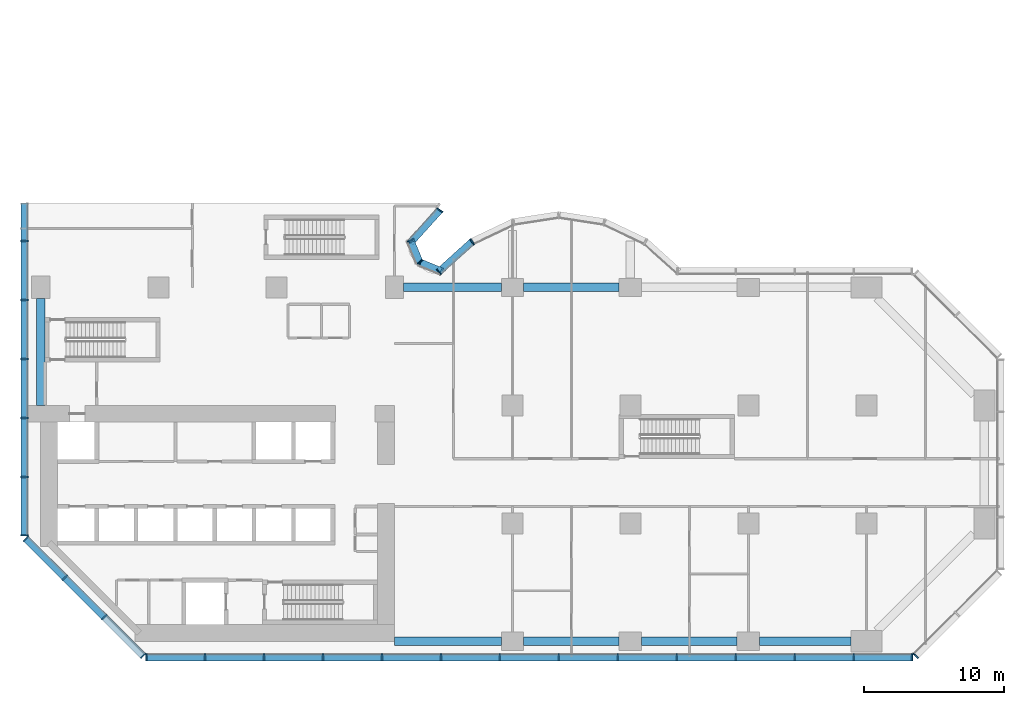
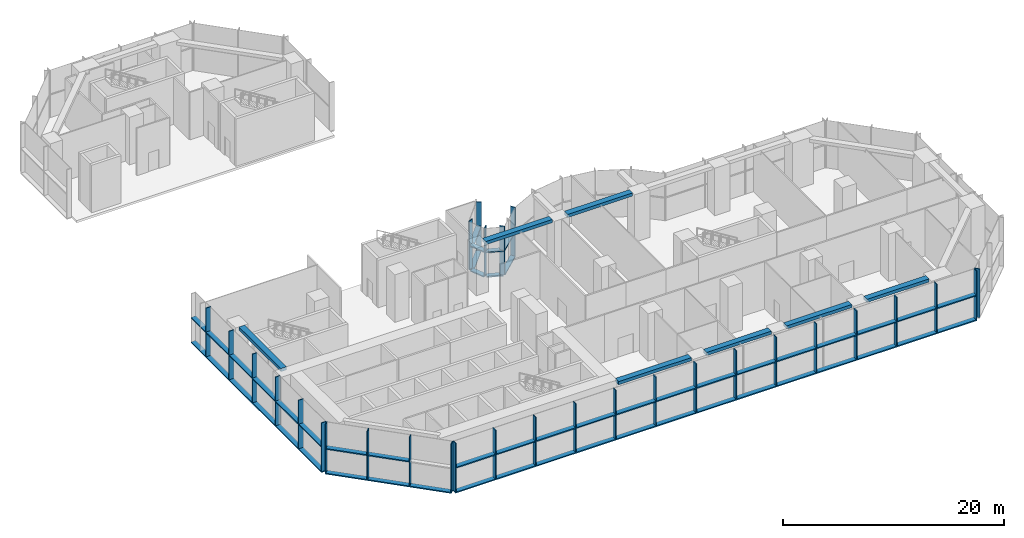
# One storey, part 2 of 16: 62 members, 7 beams, 7 elements without a shape of their own.
"""IFC4 building model written with IfcOpenShell, lengths in metres."""

from ifc_helpers import new_model, si_unit, direction, frame, origin, origin_2d, place, context, subcontext, project, spatial, rectangle, extrude, material, material_profile, profile_set, type_object, element, aggregate, save


model = new_model("IFC4")

# Units and contexts
model_context = context("Model", 3, precision=1e-05, world=origin(), true_north=direction((0.0, 1.0)))
body_context = subcontext(model_context, "Body", "Model", "MODEL_VIEW")
ifc_project = project(units=[si_unit("LENGTHUNIT", "METRE"), si_unit("AREAUNIT", "SQUARE_METRE"), si_unit("VOLUMEUNIT", "CUBIC_METRE"), si_unit("PLANEANGLEUNIT", "RADIAN"), si_unit("MASSUNIT", "GRAM", prefix="KILO")], contexts=[model_context])

# Site, building, storey
site_placement = place(None, origin())
site = spatial("IfcSite", under=ifc_project, at=site_placement, CompositionType="ELEMENT")
building_placement = place(site_placement, origin())
building = spatial("IfcBuilding", under=site, at=building_placement, Name="Brevane Broadcast Tower", CompositionType="ELEMENT")
storey_placement = place(building_placement, frame((0.0, 0.0, 7.0)))
storey = spatial("IfcBuildingStorey", under=building, at=storey_placement, Name="L01", CompositionType="ELEMENT", Elevation=7.0)

# Curtain wall, members
ifc_material_1 = material(Name="Aluminium 6063-T6 bronze anodised", Category="aluminium")
curtain_wall_type = type_object("IfcCurtainWallType", Name="CW-2 curtain wall", PredefinedType="NOTDEFINED", material=ifc_material_1)
curtain_wall_1_placement = place(storey_placement, origin())
curtain_wall_1 = element("IfcCurtainWall", 1, at=curtain_wall_1_placement, inside=storey, type_object=curtain_wall_type, Name="CW-2 podium base unit L01 south face", PredefinedType="NOTDEFINED")
ifc_material_profile_1 = material_profile(ifc_material_1, rectangle(XDim=0.5, YDim=0.090087890625, at=origin_2d()), Name="RECT 90x500")
ifc_profile_set_1 = profile_set([ifc_material_profile_1], Name="Aluminium 6063-T6 bronze anodised")
member_type_1 = type_object("IfcMemberType", Name="CW-2 mullion 90x500", PredefinedType="MULLION", material=ifc_profile_set_1)
member_1_placement = place(storey_placement, frame((7.544921875, -1.14990234375, -0.1298828125), z_axis=(0.0, 0.0, 1.0), x_axis=(0.0, 1.0, 0.0)))
member_1 = element("IfcMember", 2, at=member_1_placement, type_object=member_type_1, Name="CW-2 mullion", PredefinedType="MULLION", context=body_context, shape_type="SweptSolid", body=[
    extrude(rectangle(XDim=0.5, YDim=0.090087890625, at=origin_2d()), origin(), (0.0, 0.0, 1.0), 5.3798828125),
])
member_2_placement = place(storey_placement, frame((11.699951171875, -1.14990234375, -0.1298828125), z_axis=(0.0, 0.0, 1.0), x_axis=(0.0, 1.0, 0.0)))
member_2 = element("IfcMember", 3, at=member_2_placement, type_object=member_type_1, Name="CW-2 mullion", PredefinedType="MULLION", context=body_context, shape_type="SweptSolid", body=[
    extrude(rectangle(XDim=0.5, YDim=0.090087890625, at=origin_2d()), origin(), (0.0, 0.0, 1.0), 5.3798828125),
])
member_3_placement = place(storey_placement, frame((15.89990234375, -1.14990234375, -0.1298828125), z_axis=(0.0, 0.0, 1.0), x_axis=(0.0, 1.0, 0.0)))
member_3 = element("IfcMember", 4, at=member_3_placement, type_object=member_type_1, Name="CW-2 mullion", PredefinedType="MULLION", context=body_context, shape_type="SweptSolid", body=[
    extrude(rectangle(XDim=0.5, YDim=0.090087890625, at=origin_2d()), origin(), (0.0, 0.0, 1.0), 5.3798828125),
])
member_4_placement = place(storey_placement, frame((20.10009765625, -1.14990234375, -0.1298828125), z_axis=(0.0, 0.0, 1.0), x_axis=(0.0, 1.0, 0.0)))
member_4 = element("IfcMember", 5, at=member_4_placement, type_object=member_type_1, Name="CW-2 mullion", PredefinedType="MULLION", context=body_context, shape_type="SweptSolid", body=[
    extrude(rectangle(XDim=0.5, YDim=0.090087890625, at=origin_2d()), origin(), (0.0, 0.0, 1.0), 5.3798828125),
])
member_5_placement = place(storey_placement, frame((24.300048828125, -1.14990234375, -0.1298828125), z_axis=(0.0, 0.0, 1.0), x_axis=(0.0, 1.0, 0.0)))
member_5 = element("IfcMember", 6, at=member_5_placement, type_object=member_type_1, Name="CW-2 mullion", PredefinedType="MULLION", context=body_context, shape_type="SweptSolid", body=[
    extrude(rectangle(XDim=0.5, YDim=0.090087890625, at=origin_2d()), origin(), (0.0, 0.0, 1.0), 5.3798828125),
])
member_6_placement = place(storey_placement, frame((28.5, -1.14990234375, -0.1298828125), z_axis=(0.0, 0.0, 1.0), x_axis=(0.0, 1.0, 0.0)))
member_6 = element("IfcMember", 7, at=member_6_placement, type_object=member_type_1, Name="CW-2 mullion", PredefinedType="MULLION", context=body_context, shape_type="SweptSolid", body=[
    extrude(rectangle(XDim=0.5, YDim=0.090087890625, at=origin_2d()), origin(), (0.0, 0.0, 1.0), 5.3798828125),
])
member_7_placement = place(storey_placement, frame((32.699951171875, -1.14990234375, -0.1298828125), z_axis=(0.0, 0.0, 1.0), x_axis=(0.0, 1.0, 0.0)))
member_7 = element("IfcMember", 8, at=member_7_placement, type_object=member_type_1, Name="CW-2 mullion", PredefinedType="MULLION", context=body_context, shape_type="SweptSolid", body=[
    extrude(rectangle(XDim=0.5, YDim=0.090087890625, at=origin_2d()), origin(), (0.0, 0.0, 1.0), 5.3798828125),
])
member_8_placement = place(storey_placement, frame((36.89990234375, -1.14990234375, -0.1298828125), z_axis=(0.0, 0.0, 1.0), x_axis=(0.0, 1.0, 0.0)))
member_8 = element("IfcMember", 9, at=member_8_placement, type_object=member_type_1, Name="CW-2 mullion", PredefinedType="MULLION", context=body_context, shape_type="SweptSolid", body=[
    extrude(rectangle(XDim=0.5, YDim=0.090087890625, at=origin_2d()), origin(), (0.0, 0.0, 1.0), 5.3798828125),
])
member_9_placement = place(storey_placement, frame((41.10009765625, -1.14990234375, -0.1298828125), z_axis=(0.0, 0.0, 1.0), x_axis=(0.0, 1.0, 0.0)))
member_9 = element("IfcMember", 10, at=member_9_placement, type_object=member_type_1, Name="CW-2 mullion", PredefinedType="MULLION", context=body_context, shape_type="SweptSolid", body=[
    extrude(rectangle(XDim=0.5, YDim=0.090087890625, at=origin_2d()), origin(), (0.0, 0.0, 1.0), 5.3798828125),
])
member_10_placement = place(storey_placement, frame((45.300048828125, -1.14990234375, -0.1298828125), z_axis=(0.0, 0.0, 1.0), x_axis=(0.0, 1.0, 0.0)))
member_10 = element("IfcMember", 11, at=member_10_placement, type_object=member_type_1, Name="CW-2 mullion", PredefinedType="MULLION", context=body_context, shape_type="SweptSolid", body=[
    extrude(rectangle(XDim=0.5, YDim=0.090087890625, at=origin_2d()), origin(), (0.0, 0.0, 1.0), 5.3798828125),
])
member_11_placement = place(storey_placement, frame((49.5, -1.14990234375, -0.1298828125), z_axis=(0.0, 0.0, 1.0), x_axis=(0.0, 1.0, 0.0)))
member_11 = element("IfcMember", 12, at=member_11_placement, type_object=member_type_1, Name="CW-2 mullion", PredefinedType="MULLION", context=body_context, shape_type="SweptSolid", body=[
    extrude(rectangle(XDim=0.5, YDim=0.090087890625, at=origin_2d()), origin(), (0.0, 0.0, 1.0), 5.3798828125),
])
member_12_placement = place(storey_placement, frame((53.699951171875, -1.14990234375, -0.1298828125), z_axis=(0.0, 0.0, 1.0), x_axis=(0.0, 1.0, 0.0)))
member_12 = element("IfcMember", 13, at=member_12_placement, type_object=member_type_1, Name="CW-2 mullion", PredefinedType="MULLION", context=body_context, shape_type="SweptSolid", body=[
    extrude(rectangle(XDim=0.5, YDim=0.090087890625, at=origin_2d()), origin(), (0.0, 0.0, 1.0), 5.3798828125),
])
member_13_placement = place(storey_placement, frame((57.89990234375, -1.14990234375, -0.1298828125), z_axis=(0.0, 0.0, 1.0), x_axis=(0.0, 1.0, 0.0)))
member_13 = element("IfcMember", 14, at=member_13_placement, type_object=member_type_1, Name="CW-2 mullion", PredefinedType="MULLION", context=body_context, shape_type="SweptSolid", body=[
    extrude(rectangle(XDim=0.5, YDim=0.090087890625, at=origin_2d()), origin(), (0.0, 0.0, 1.0), 5.3798828125),
])
member_14_placement = place(storey_placement, frame((62.054931640625, -1.14990234375, -0.1298828125), z_axis=(0.0, 0.0, 1.0), x_axis=(0.0, 1.0, 0.0)))
member_14 = element("IfcMember", 15, at=member_14_placement, type_object=member_type_1, Name="CW-2 mullion", PredefinedType="MULLION", context=body_context, shape_type="SweptSolid", body=[
    extrude(rectangle(XDim=0.5, YDim=0.090087890625, at=origin_2d()), origin(), (0.0, 0.0, 1.0), 5.3798828125),
])

# Curtain wall, member
curtain_wall_2_placement = place(storey_placement, origin())
curtain_wall_2 = element("IfcCurtainWall", 16, at=curtain_wall_2_placement, inside=storey, type_object=curtain_wall_type, Name="CW-2 podium base unit L01 south-east chamfer", PredefinedType="NOTDEFINED")
member_15_placement = place(storey_placement, frame((62.30859375, -1.044921875, -0.1298828125), z_axis=(0.0, 0.0, 1.0), x_axis=(-0.707106781187, 0.707106781187, 0.0)))
member_15 = element("IfcMember", 17, at=member_15_placement, type_object=member_type_1, Name="CW-2 mullion", PredefinedType="MULLION", context=body_context, shape_type="SweptSolid", body=[
    extrude(rectangle(XDim=0.5, YDim=0.090087890625, at=origin_2d()), origin(), (0.0, 0.0, 1.0), 5.3798828125),
])
aggregate(curtain_wall_2, [member_15])

# Curtain wall, members
curtain_wall_3_placement = place(storey_placement, origin())
curtain_wall_3 = element("IfcCurtainWall", 18, at=curtain_wall_3_placement, inside=storey, type_object=curtain_wall_type, Name="CW-2 podium base unit L01 east bow", PredefinedType="NOTDEFINED")
member_16_placement = place(storey_placement, frame((30.728759765625, 28.447021484375, -0.1298828125), z_axis=(0.0, 0.0, 1.0), x_axis=(0.555997481379, -0.831183975243, 0.0)))
member_16 = element("IfcMember", 19, at=member_16_placement, type_object=member_type_1, Name="CW-2 mullion", PredefinedType="MULLION", context=body_context, shape_type="SweptSolid", body=[
    extrude(rectangle(XDim=0.5, YDim=0.090087890625, at=origin_2d()), origin(), (0.0, 0.0, 1.0), 5.3798828125),
])
member_17_placement = place(storey_placement, frame((28.36572265625, 26.315673828125, -0.1298828125), z_axis=(0.0, 0.0, 1.0), x_axis=(0.670368934758, -0.742027958578, 0.0)))
member_17 = element("IfcMember", 20, at=member_17_placement, type_object=member_type_1, Name="CW-2 mullion", PredefinedType="MULLION", context=body_context, shape_type="SweptSolid", body=[
    extrude(rectangle(XDim=0.5, YDim=0.090087890625, at=origin_2d()), origin(), (0.0, 0.0, 1.0), 5.3798828125),
])

curtain_wall_4_placement = place(storey_placement, origin())
curtain_wall_4 = element("IfcCurtainWall", 21, at=curtain_wall_4_placement, inside=storey, type_object=curtain_wall_type, Name="CW-2 podium base unit L01 inner corner", PredefinedType="NOTDEFINED")
member_18_placement = place(storey_placement, frame((26.979736328125, 26.979736328125, -0.1298828125), z_axis=(0.0, 0.0, 1.0), x_axis=(-0.707106781187, -0.707106781187, 0.0)))
member_18 = element("IfcMember", 22, at=member_18_placement, type_object=member_type_1, Name="CW-2 mullion", PredefinedType="MULLION", context=body_context, shape_type="SweptSolid", body=[
    extrude(rectangle(XDim=0.5, YDim=0.090087890625, at=origin_2d()), origin(), (0.0, 0.0, 1.0), 5.3798828125),
])
member_19_placement = place(storey_placement, frame((26.34814453125, 28.55419921875, -0.1298828125), z_axis=(0.0, 0.0, 1.0), x_axis=(-0.923879457699, -0.382683612978, 0.0)))
member_19 = element("IfcMember", 23, at=member_19_placement, type_object=member_type_1, Name="CW-2 mullion", PredefinedType="MULLION", context=body_context, shape_type="SweptSolid", body=[
    extrude(rectangle(XDim=0.5, YDim=0.090087890625, at=origin_2d()), origin(), (0.0, 0.0, 1.0), 5.3798828125),
])

# Curtain wall, member
curtain_wall_5_placement = place(storey_placement, origin())
curtain_wall_5 = element("IfcCurtainWall", 24, at=curtain_wall_5_placement, inside=storey, type_object=curtain_wall_type, Name="CW-2 podium base unit L01 north bow", PredefinedType="NOTDEFINED")
member_20_placement = place(storey_placement, frame((28.421875, 30.69140625, -0.1298828125), z_axis=(0.0, 0.0, 1.0), x_axis=(-0.831183975243, 0.555997481379, 0.0)))
member_20 = element("IfcMember", 25, at=member_20_placement, type_object=member_type_1, Name="CW-2 mullion", PredefinedType="MULLION", context=body_context, shape_type="SweptSolid", body=[
    extrude(rectangle(XDim=0.5, YDim=0.090087890625, at=origin_2d()), origin(), (0.0, 0.0, 1.0), 5.3798828125),
])

# Curtain wall, members
curtain_wall_6_placement = place(storey_placement, origin())
curtain_wall_6 = element("IfcCurtainWall", 26, at=curtain_wall_6_placement, inside=storey, type_object=curtain_wall_type, Name="CW-2 podium base unit L01 west face", PredefinedType="NOTDEFINED")
member_21_placement = place(storey_placement, frame((-1.14990234375, 28.5, -0.1298828125), z_axis=(0.0, 0.0, 1.0), x_axis=(1.0, 0.0, 0.0)))
member_21 = element("IfcMember", 27, at=member_21_placement, type_object=member_type_1, Name="CW-2 mullion", PredefinedType="MULLION", context=body_context, shape_type="SweptSolid", body=[
    extrude(rectangle(XDim=0.5, YDim=0.090087890625, at=origin_2d()), origin(), (0.0, 0.0, 1.0), 5.3798828125),
])
member_22_placement = place(storey_placement, frame((-1.14990234375, 24.300048828125, -0.1298828125), z_axis=(0.0, 0.0, 1.0), x_axis=(1.0, 0.0, 0.0)))
member_22 = element("IfcMember", 28, at=member_22_placement, type_object=member_type_1, Name="CW-2 mullion", PredefinedType="MULLION", context=body_context, shape_type="SweptSolid", body=[
    extrude(rectangle(XDim=0.5, YDim=0.090087890625, at=origin_2d()), origin(), (0.0, 0.0, 1.0), 5.3798828125),
])
member_23_placement = place(storey_placement, frame((-1.14990234375, 20.10009765625, -0.1298828125), z_axis=(0.0, 0.0, 1.0), x_axis=(1.0, 0.0, 0.0)))
member_23 = element("IfcMember", 29, at=member_23_placement, type_object=member_type_1, Name="CW-2 mullion", PredefinedType="MULLION", context=body_context, shape_type="SweptSolid", body=[
    extrude(rectangle(XDim=0.5, YDim=0.090087890625, at=origin_2d()), origin(), (0.0, 0.0, 1.0), 5.3798828125),
])
member_24_placement = place(storey_placement, frame((-1.14990234375, 15.89990234375, -0.1298828125), z_axis=(0.0, 0.0, 1.0), x_axis=(1.0, 0.0, 0.0)))
member_24 = element("IfcMember", 30, at=member_24_placement, type_object=member_type_1, Name="CW-2 mullion", PredefinedType="MULLION", context=body_context, shape_type="SweptSolid", body=[
    extrude(rectangle(XDim=0.5, YDim=0.090087890625, at=origin_2d()), origin(), (0.0, 0.0, 1.0), 5.3798828125),
])
member_25_placement = place(storey_placement, frame((-1.14990234375, 11.699951171875, -0.1298828125), z_axis=(0.0, 0.0, 1.0), x_axis=(1.0, 0.0, 0.0)))
member_25 = element("IfcMember", 31, at=member_25_placement, type_object=member_type_1, Name="CW-2 mullion", PredefinedType="MULLION", context=body_context, shape_type="SweptSolid", body=[
    extrude(rectangle(XDim=0.5, YDim=0.090087890625, at=origin_2d()), origin(), (0.0, 0.0, 1.0), 5.3798828125),
])
member_26_placement = place(storey_placement, frame((-1.14990234375, 7.544921875, -0.1298828125), z_axis=(0.0, 0.0, 1.0), x_axis=(1.0, 0.0, 0.0)))
member_26 = element("IfcMember", 32, at=member_26_placement, type_object=member_type_1, Name="CW-2 mullion", PredefinedType="MULLION", context=body_context, shape_type="SweptSolid", body=[
    extrude(rectangle(XDim=0.5, YDim=0.090087890625, at=origin_2d()), origin(), (0.0, 0.0, 1.0), 5.3798828125),
])

curtain_wall_7_placement = place(storey_placement, origin())
curtain_wall_7 = element("IfcCurtainWall", 33, at=curtain_wall_7_placement, inside=storey, type_object=curtain_wall_type, Name="CW-2 podium base unit L01 south-west chamfer", PredefinedType="NOTDEFINED")
member_27_placement = place(storey_placement, frame((-1.044921875, 7.29150390625, -0.1298828125), z_axis=(0.0, 0.0, 1.0), x_axis=(0.707106781187, 0.707106781187, 0.0)))
member_27 = element("IfcMember", 34, at=member_27_placement, type_object=member_type_1, Name="CW-2 mullion", PredefinedType="MULLION", context=body_context, shape_type="SweptSolid", body=[
    extrude(rectangle(XDim=0.5, YDim=0.090087890625, at=origin_2d()), origin(), (0.0, 0.0, 1.0), 5.3798828125),
])
member_28_placement = place(storey_placement, frame((1.72314453125, 4.523193359375, -0.1298828125), z_axis=(0.0, 0.0, 1.0), x_axis=(0.707106781187, 0.707106781187, 0.0)))
member_28 = element("IfcMember", 35, at=member_28_placement, type_object=member_type_1, Name="CW-2 mullion", PredefinedType="MULLION", context=body_context, shape_type="SweptSolid", body=[
    extrude(rectangle(XDim=0.5, YDim=0.090087890625, at=origin_2d()), origin(), (0.0, 0.0, 1.0), 5.3798828125),
])
member_29_placement = place(storey_placement, frame((4.523193359375, 1.72314453125, -0.1298828125), z_axis=(0.0, 0.0, 1.0), x_axis=(0.707106781187, 0.707106781187, 0.0)))
member_29 = element("IfcMember", 36, at=member_29_placement, type_object=member_type_1, Name="CW-2 mullion", PredefinedType="MULLION", context=body_context, shape_type="SweptSolid", body=[
    extrude(rectangle(XDim=0.5, YDim=0.090087890625, at=origin_2d()), origin(), (0.0, 0.0, 1.0), 5.3798828125),
])
member_30_placement = place(storey_placement, frame((7.29150390625, -1.044921875, -0.1298828125), z_axis=(0.0, 0.0, 1.0), x_axis=(0.707106781187, 0.707106781187, 0.0)))
member_30 = element("IfcMember", 37, at=member_30_placement, type_object=member_type_1, Name="CW-2 mullion", PredefinedType="MULLION", context=body_context, shape_type="SweptSolid", body=[
    extrude(rectangle(XDim=0.5, YDim=0.090087890625, at=origin_2d()), origin(), (0.0, 0.0, 1.0), 5.3798828125),
])

# Member
ifc_material_profile_2 = material_profile(ifc_material_1, rectangle(XDim=0.5, YDim=0.1201171875, at=origin_2d()), Name="RECT 120x500")
ifc_profile_set_2 = profile_set([ifc_material_profile_2], Name="Aluminium 6063-T6 bronze anodised")
member_type_2 = type_object("IfcMemberType", Name="CW-2 transom 120x500", PredefinedType="USERDEFINED", material=ifc_profile_set_2)
member_31_placement = place(storey_placement, frame((7.5, -1.14990234375, -0.18994140625), z_axis=(1.0, 0.0, 0.0), x_axis=(0.0, 1.0, 0.0)))
member_31 = element("IfcMember", 38, at=member_31_placement, type_object=member_type_2, Name="CW-2 transom", ObjectType="TRANSOM", PredefinedType="USERDEFINED", context=body_context, shape_type="SweptSolid", body=[
    extrude(rectangle(XDim=0.5, YDim=0.1201171875, at=origin_2d()), origin(), (0.0, 0.0, 1.0), 54.60009765625),
])

member_32_placement = place(storey_placement, frame((7.544921875, -1.14990234375, 2.550048828125), z_axis=(1.0, 0.0, 0.0), x_axis=(0.0, 1.0, 0.0)))
member_32 = element("IfcMember", 39, at=member_32_placement, type_object=member_type_2, Name="CW-2 transom", ObjectType="TRANSOM", PredefinedType="USERDEFINED", context=body_context, shape_type="SweptSolid", body=[
    extrude(rectangle(XDim=0.5, YDim=0.1201171875, at=origin_2d()), origin(), (0.0, 0.0, 1.0), 4.110107421875),
])

member_33_placement = place(storey_placement, frame((11.7451171875, -1.14990234375, 2.550048828125), z_axis=(1.0, 0.0, 0.0), x_axis=(0.0, 1.0, 0.0)))
member_33 = element("IfcMember", 40, at=member_33_placement, type_object=member_type_2, Name="CW-2 transom", ObjectType="TRANSOM", PredefinedType="USERDEFINED", context=body_context, shape_type="SweptSolid", body=[
    extrude(rectangle(XDim=0.5, YDim=0.1201171875, at=origin_2d()), origin(), (0.0, 0.0, 1.0), 4.10986328125),
])

member_34_placement = place(storey_placement, frame((15.945068359375, -1.14990234375, 2.550048828125), z_axis=(1.0, 0.0, 0.0), x_axis=(0.0, 1.0, 0.0)))
member_34 = element("IfcMember", 41, at=member_34_placement, type_object=member_type_2, Name="CW-2 transom", ObjectType="TRANSOM", PredefinedType="USERDEFINED", context=body_context, shape_type="SweptSolid", body=[
    extrude(rectangle(XDim=0.5, YDim=0.1201171875, at=origin_2d()), origin(), (0.0, 0.0, 1.0), 4.10986328125),
])

member_35_placement = place(storey_placement, frame((20.14501953125, -1.14990234375, 2.550048828125), z_axis=(1.0, 0.0, 0.0), x_axis=(0.0, 1.0, 0.0)))
member_35 = element("IfcMember", 42, at=member_35_placement, type_object=member_type_2, Name="CW-2 transom", ObjectType="TRANSOM", PredefinedType="USERDEFINED", context=body_context, shape_type="SweptSolid", body=[
    extrude(rectangle(XDim=0.5, YDim=0.1201171875, at=origin_2d()), origin(), (0.0, 0.0, 1.0), 4.10986328125),
])

member_36_placement = place(storey_placement, frame((24.344970703125, -1.14990234375, 2.550048828125), z_axis=(1.0, 0.0, 0.0), x_axis=(0.0, 1.0, 0.0)))
member_36 = element("IfcMember", 43, at=member_36_placement, type_object=member_type_2, Name="CW-2 transom", ObjectType="TRANSOM", PredefinedType="USERDEFINED", context=body_context, shape_type="SweptSolid", body=[
    extrude(rectangle(XDim=0.5, YDim=0.1201171875, at=origin_2d()), origin(), (0.0, 0.0, 1.0), 4.110107421875),
])

member_37_placement = place(storey_placement, frame((28.544921875, -1.14990234375, 2.550048828125), z_axis=(1.0, 0.0, 0.0), x_axis=(0.0, 1.0, 0.0)))
member_37 = element("IfcMember", 44, at=member_37_placement, type_object=member_type_2, Name="CW-2 transom", ObjectType="TRANSOM", PredefinedType="USERDEFINED", context=body_context, shape_type="SweptSolid", body=[
    extrude(rectangle(XDim=0.5, YDim=0.1201171875, at=origin_2d()), origin(), (0.0, 0.0, 1.0), 4.110107421875),
])

member_38_placement = place(storey_placement, frame((32.7451171875, -1.14990234375, 2.550048828125), z_axis=(1.0, 0.0, 0.0), x_axis=(0.0, 1.0, 0.0)))
member_38 = element("IfcMember", 45, at=member_38_placement, type_object=member_type_2, Name="CW-2 transom", ObjectType="TRANSOM", PredefinedType="USERDEFINED", context=body_context, shape_type="SweptSolid", body=[
    extrude(rectangle(XDim=0.5, YDim=0.1201171875, at=origin_2d()), origin(), (0.0, 0.0, 1.0), 4.10986328125),
])

member_39_placement = place(storey_placement, frame((36.945068359375, -1.14990234375, 2.550048828125), z_axis=(1.0, 0.0, 0.0), x_axis=(0.0, 1.0, 0.0)))
member_39 = element("IfcMember", 46, at=member_39_placement, type_object=member_type_2, Name="CW-2 transom", ObjectType="TRANSOM", PredefinedType="USERDEFINED", context=body_context, shape_type="SweptSolid", body=[
    extrude(rectangle(XDim=0.5, YDim=0.1201171875, at=origin_2d()), origin(), (0.0, 0.0, 1.0), 4.10986328125),
])

member_40_placement = place(storey_placement, frame((41.14501953125, -1.14990234375, 2.550048828125), z_axis=(1.0, 0.0, 0.0), x_axis=(0.0, 1.0, 0.0)))
member_40 = element("IfcMember", 47, at=member_40_placement, type_object=member_type_2, Name="CW-2 transom", ObjectType="TRANSOM", PredefinedType="USERDEFINED", context=body_context, shape_type="SweptSolid", body=[
    extrude(rectangle(XDim=0.5, YDim=0.1201171875, at=origin_2d()), origin(), (0.0, 0.0, 1.0), 4.10986328125),
])

member_41_placement = place(storey_placement, frame((45.344970703125, -1.14990234375, 2.550048828125), z_axis=(1.0, 0.0, 0.0), x_axis=(0.0, 1.0, 0.0)))
member_41 = element("IfcMember", 48, at=member_41_placement, type_object=member_type_2, Name="CW-2 transom", ObjectType="TRANSOM", PredefinedType="USERDEFINED", context=body_context, shape_type="SweptSolid", body=[
    extrude(rectangle(XDim=0.5, YDim=0.1201171875, at=origin_2d()), origin(), (0.0, 0.0, 1.0), 4.110107421875),
])

member_42_placement = place(storey_placement, frame((49.544921875, -1.14990234375, 2.550048828125), z_axis=(1.0, 0.0, 0.0), x_axis=(0.0, 1.0, 0.0)))
member_42 = element("IfcMember", 49, at=member_42_placement, type_object=member_type_2, Name="CW-2 transom", ObjectType="TRANSOM", PredefinedType="USERDEFINED", context=body_context, shape_type="SweptSolid", body=[
    extrude(rectangle(XDim=0.5, YDim=0.1201171875, at=origin_2d()), origin(), (0.0, 0.0, 1.0), 4.110107421875),
])

member_43_placement = place(storey_placement, frame((53.7451171875, -1.14990234375, 2.550048828125), z_axis=(1.0, 0.0, 0.0), x_axis=(0.0, 1.0, 0.0)))
member_43 = element("IfcMember", 50, at=member_43_placement, type_object=member_type_2, Name="CW-2 transom", ObjectType="TRANSOM", PredefinedType="USERDEFINED", context=body_context, shape_type="SweptSolid", body=[
    extrude(rectangle(XDim=0.5, YDim=0.1201171875, at=origin_2d()), origin(), (0.0, 0.0, 1.0), 4.10986328125),
])

member_44_placement = place(storey_placement, frame((57.945068359375, -1.14990234375, 2.550048828125), z_axis=(1.0, 0.0, 0.0), x_axis=(0.0, 1.0, 0.0)))
member_44 = element("IfcMember", 51, at=member_44_placement, type_object=member_type_2, Name="CW-2 transom", ObjectType="TRANSOM", PredefinedType="USERDEFINED", context=body_context, shape_type="SweptSolid", body=[
    extrude(rectangle(XDim=0.5, YDim=0.1201171875, at=origin_2d()), origin(), (0.0, 0.0, 1.0), 4.10986328125),
])

aggregate(curtain_wall_1, [member_1, member_2, member_3, member_4, member_5, member_6, member_7, member_8, member_9, member_10, member_11, member_12, member_13, member_14, member_31, member_32, member_33, member_34, member_35, member_36, member_37, member_38, member_39, member_40, member_41, member_42, member_43, member_44])

member_45_placement = place(storey_placement, frame((30.70703125, 28.4306640625, -0.18994140625), z_axis=(-0.742043383245, -0.670351860878, 0.0), x_axis=(0.670351860878, -0.742043383245, 0.0)))
member_45 = element("IfcMember", 52, at=member_45_placement, type_object=member_type_2, Name="CW-2 transom", ObjectType="TRANSOM", PredefinedType="USERDEFINED", context=body_context, shape_type="SweptSolid", body=[
    extrude(rectangle(XDim=0.5, YDim=0.1201171875, at=origin_2d()), origin(), (0.0, 0.0, 1.0), 3.041015625),
])

member_46_placement = place(storey_placement, frame((30.673583984375, 28.400390625, 2.550048828125), z_axis=(-0.742020524448, -0.670377163467, 0.0), x_axis=(0.670377163467, -0.742020524448, 0.0)))
member_46 = element("IfcMember", 53, at=member_46_placement, type_object=member_type_2, Name="CW-2 transom", ObjectType="TRANSOM", PredefinedType="USERDEFINED", context=body_context, shape_type="SweptSolid", body=[
    extrude(rectangle(XDim=0.5, YDim=0.1201171875, at=origin_2d()), origin(), (0.0, 0.0, 1.0), 3.10107421875),
])

aggregate(curtain_wall_3, [member_16, member_17, member_45, member_46])

member_47_placement = place(storey_placement, frame((28.500244140625, 26.365234375, -0.18994140625), z_axis=(-0.923883243627, 0.382674472816, 0.0), x_axis=(-0.382674472816, -0.923883243627, 0.0)))
member_47 = element("IfcMember", 54, at=member_47_placement, type_object=member_type_2, Name="CW-2 transom", ObjectType="TRANSOM", PredefinedType="USERDEFINED", context=body_context, shape_type="SweptSolid", body=[
    extrude(rectangle(XDim=0.5, YDim=0.1201171875, at=origin_2d()), origin(), (0.0, 0.0, 1.0), 1.536865234375),
])

member_48_placement = place(storey_placement, frame((26.99072265625, 26.990234375, -0.18994140625), z_axis=(-0.382674472816, 0.923883243627, 0.0), x_axis=(-0.923883243627, -0.382674472816, 0.0)))
member_48 = element("IfcMember", 55, at=member_48_placement, type_object=member_type_2, Name="CW-2 transom", ObjectType="TRANSOM", PredefinedType="USERDEFINED", context=body_context, shape_type="SweptSolid", body=[
    extrude(rectangle(XDim=0.5, YDim=0.1201171875, at=origin_2d()), origin(), (0.0, 0.0, 1.0), 1.536865234375),
])

member_49_placement = place(storey_placement, frame((28.597412109375, 26.3251953125, 2.550048828125), z_axis=(-0.923897608533, 0.382639790072, 0.0), x_axis=(-0.382639790072, -0.923897608533, 0.0)))
member_49 = element("IfcMember", 56, at=member_49_placement, type_object=member_type_2, Name="CW-2 transom", ObjectType="TRANSOM", PredefinedType="USERDEFINED", context=body_context, shape_type="SweptSolid", body=[
    extrude(rectangle(XDim=0.5, YDim=0.1201171875, at=origin_2d()), origin(), (0.0, 0.0, 1.0), 1.7470703125),
])

member_50_placement = place(storey_placement, frame((27.031005859375, 26.893310546875, 2.550048828125), z_axis=(-0.382663809757, 0.923887660218, 0.0), x_axis=(-0.923887660218, -0.382663809757, 0.0)))
member_50 = element("IfcMember", 57, at=member_50_placement, type_object=member_type_2, Name="CW-2 transom", ObjectType="TRANSOM", PredefinedType="USERDEFINED", context=body_context, shape_type="SweptSolid", body=[
    extrude(rectangle(XDim=0.5, YDim=0.1201171875, at=origin_2d()), origin(), (0.0, 0.0, 1.0), 1.750732421875),
])

aggregate(curtain_wall_4, [member_18, member_19, member_47, member_48, member_49, member_50])

member_51_placement = place(storey_placement, frame((26.39208984375, 28.450439453125, -0.18994140625), z_axis=(0.670351860878, 0.742043383245, 0.0), x_axis=(-0.742043383245, 0.670351860878, 0.0)))
member_51 = element("IfcMember", 58, at=member_51_placement, type_object=member_type_2, Name="CW-2 transom", ObjectType="TRANSOM", PredefinedType="USERDEFINED", context=body_context, shape_type="SweptSolid", body=[
    extrude(rectangle(XDim=0.5, YDim=0.1201171875, at=origin_2d()), origin(), (0.0, 0.0, 1.0), 3.041015625),
])

member_52_placement = place(storey_placement, frame((26.321533203125, 28.37255859375, 2.550048828125), z_axis=(0.670377163467, 0.742020524448, 0.0), x_axis=(-0.742020524448, 0.670377163467, 0.0)))
member_52 = element("IfcMember", 59, at=member_52_placement, type_object=member_type_2, Name="CW-2 transom", ObjectType="TRANSOM", PredefinedType="USERDEFINED", context=body_context, shape_type="SweptSolid", body=[
    extrude(rectangle(XDim=0.5, YDim=0.1201171875, at=origin_2d()), origin(), (0.0, 0.0, 1.0), 3.10107421875),
])

aggregate(curtain_wall_5, [member_20, member_51, member_52])

member_53_placement = place(storey_placement, frame((-1.14990234375, 31.199951171875, -0.18994140625), z_axis=(0.0, -1.0, 0.0), x_axis=(1.0, 0.0, 0.0)))
member_53 = element("IfcMember", 60, at=member_53_placement, type_object=member_type_2, Name="CW-2 transom", ObjectType="TRANSOM", PredefinedType="USERDEFINED", context=body_context, shape_type="SweptSolid", body=[
    extrude(rectangle(XDim=0.5, YDim=0.1201171875, at=origin_2d()), origin(), (0.0, 0.0, 1.0), 23.699951171875),
])

member_54_placement = place(storey_placement, frame((-1.14990234375, 31.155029296875, 2.550048828125), z_axis=(0.0, -1.0, 0.0), x_axis=(1.0, 0.0, 0.0)))
member_54 = element("IfcMember", 61, at=member_54_placement, type_object=member_type_2, Name="CW-2 transom", ObjectType="TRANSOM", PredefinedType="USERDEFINED", context=body_context, shape_type="SweptSolid", body=[
    extrude(rectangle(XDim=0.5, YDim=0.1201171875, at=origin_2d()), origin(), (0.0, 0.0, 1.0), 2.610107421875),
])

member_55_placement = place(storey_placement, frame((-1.14990234375, 28.455078125, 2.550048828125), z_axis=(0.0, -1.0, 0.0), x_axis=(1.0, 0.0, 0.0)))
member_55 = element("IfcMember", 62, at=member_55_placement, type_object=member_type_2, Name="CW-2 transom", ObjectType="TRANSOM", PredefinedType="USERDEFINED", context=body_context, shape_type="SweptSolid", body=[
    extrude(rectangle(XDim=0.5, YDim=0.1201171875, at=origin_2d()), origin(), (0.0, 0.0, 1.0), 4.110107421875),
])

member_56_placement = place(storey_placement, frame((-1.14990234375, 24.2548828125, 2.550048828125), z_axis=(0.0, -1.0, 0.0), x_axis=(1.0, 0.0, 0.0)))
member_56 = element("IfcMember", 63, at=member_56_placement, type_object=member_type_2, Name="CW-2 transom", ObjectType="TRANSOM", PredefinedType="USERDEFINED", context=body_context, shape_type="SweptSolid", body=[
    extrude(rectangle(XDim=0.5, YDim=0.1201171875, at=origin_2d()), origin(), (0.0, 0.0, 1.0), 4.10986328125),
])

member_57_placement = place(storey_placement, frame((-1.14990234375, 20.054931640625, 2.550048828125), z_axis=(0.0, -1.0, 0.0), x_axis=(1.0, 0.0, 0.0)))
member_57 = element("IfcMember", 64, at=member_57_placement, type_object=member_type_2, Name="CW-2 transom", ObjectType="TRANSOM", PredefinedType="USERDEFINED", context=body_context, shape_type="SweptSolid", body=[
    extrude(rectangle(XDim=0.5, YDim=0.1201171875, at=origin_2d()), origin(), (0.0, 0.0, 1.0), 4.10986328125),
])

member_58_placement = place(storey_placement, frame((-1.14990234375, 15.85498046875, 2.550048828125), z_axis=(0.0, -1.0, 0.0), x_axis=(1.0, 0.0, 0.0)))
member_58 = element("IfcMember", 65, at=member_58_placement, type_object=member_type_2, Name="CW-2 transom", ObjectType="TRANSOM", PredefinedType="USERDEFINED", context=body_context, shape_type="SweptSolid", body=[
    extrude(rectangle(XDim=0.5, YDim=0.1201171875, at=origin_2d()), origin(), (0.0, 0.0, 1.0), 4.10986328125),
])

member_59_placement = place(storey_placement, frame((-1.14990234375, 11.655029296875, 2.550048828125), z_axis=(0.0, -1.0, 0.0), x_axis=(1.0, 0.0, 0.0)))
member_59 = element("IfcMember", 66, at=member_59_placement, type_object=member_type_2, Name="CW-2 transom", ObjectType="TRANSOM", PredefinedType="USERDEFINED", context=body_context, shape_type="SweptSolid", body=[
    extrude(rectangle(XDim=0.5, YDim=0.1201171875, at=origin_2d()), origin(), (0.0, 0.0, 1.0), 4.110107421875),
])

aggregate(curtain_wall_6, [member_21, member_22, member_23, member_24, member_25, member_26, member_53, member_54, member_55, member_56, member_57, member_58, member_59])

member_60_placement = place(storey_placement, frame((-1.07666015625, 7.3232421875, -0.18994140625), z_axis=(0.707106781187, -0.707106781187, 0.0), x_axis=(0.707106781187, 0.707106781187, 0.0)))
member_60 = element("IfcMember", 67, at=member_60_placement, type_object=member_type_2, Name="CW-2 transom", ObjectType="TRANSOM", PredefinedType="USERDEFINED", context=body_context, shape_type="SweptSolid", body=[
    extrude(rectangle(XDim=0.5, YDim=0.1201171875, at=origin_2d()), origin(), (0.0, 0.0, 1.0), 11.879150390625),
])

member_61_placement = place(storey_placement, frame((-1.044921875, 7.29150390625, 2.550048828125), z_axis=(0.707075237155, -0.707138323811, 0.0), x_axis=(0.707138323811, 0.707075237155, 0.0)))
member_61 = element("IfcMember", 68, at=member_61_placement, type_object=member_type_2, Name="CW-2 transom", ObjectType="TRANSOM", PredefinedType="USERDEFINED", context=body_context, shape_type="SweptSolid", body=[
    extrude(rectangle(XDim=0.5, YDim=0.1201171875, at=origin_2d()), origin(), (0.0, 0.0, 1.0), 3.869873046875),
])

member_62_placement = place(storey_placement, frame((1.755126953125, 4.491455078125, 2.550048828125), z_axis=(0.707106781187, -0.707106781187, 0.0), x_axis=(0.707106781187, 0.707106781187, 0.0)))
member_62 = element("IfcMember", 69, at=member_62_placement, type_object=member_type_2, Name="CW-2 transom", ObjectType="TRANSOM", PredefinedType="USERDEFINED", context=body_context, shape_type="SweptSolid", body=[
    extrude(rectangle(XDim=0.5, YDim=0.1201171875, at=origin_2d()), origin(), (0.0, 0.0, 1.0), 3.869873046875),
])

aggregate(curtain_wall_7, [member_27, member_28, member_29, member_30, member_60, member_61, member_62])

# Beams
ifc_material_2 = material(Name="Concrete C40/50", Category="concrete")
ifc_material_profile_3 = material_profile(ifc_material_2, rectangle(XDim=0.60009765625, YDim=0.35009765625, at=origin_2d()), Name="RC 600x350")
ifc_profile_set_3 = profile_set([ifc_material_profile_3], Name="Concrete C40/50")
beam_type = type_object("IfcBeamType", Name="RC SPANDREL BEAM 600x350 C40/50", PredefinedType="SPANDREL", material=ifc_profile_set_3)
beam_1_placement = place(storey_placement, frame((25.199951171875, 0.0, 5.074951171875), z_axis=(1.0, 0.0, 0.0), x_axis=(0.0, 1.0, 0.0)))
element("IfcBeam", 70, at=beam_1_placement, inside=storey, type_object=beam_type, Name="EB1 L01-1", PredefinedType="SPANDREL", context=body_context, shape_type="SweptSolid", body=[
    extrude(rectangle(XDim=0.60009765625, YDim=0.35009765625, at=origin_2d()), origin(), (0.0, 0.0, 1.0), 7.60009765625),
])
for number, where, z_axis, x_axis, name in (
    (71, (34.39990234375, 0.0, 5.074951171875), (1.0, 0.0, 0.0), (0.0, 1.0, 0.0), "EB1 L01-2"),
    (72, (42.800048828125, 0.0, 5.074951171875), (1.0, 0.0, 0.0), (0.0, 1.0, 0.0), "EB1 L01-3"),
):
    element("IfcBeam", number, at=place(storey_placement, frame(where, z_axis=z_axis, x_axis=x_axis)), inside=storey, type_object=beam_type, Name=name, PredefinedType="SPANDREL", context=body_context, shape_type="SweptSolid", body=[
        extrude(rectangle(XDim=0.60009765625, YDim=0.35009765625, at=origin_2d()), origin(), (0.0, 0.0, 1.0), 6.800048828125),
    ])
beam_2_placement = place(storey_placement, frame((51.199951171875, 0.0, 5.074951171875), z_axis=(1.0, 0.0, 0.0), x_axis=(0.0, 1.0, 0.0)))
element("IfcBeam", 73, at=beam_2_placement, inside=storey, type_object=beam_type, Name="EB1 L01-4", PredefinedType="SPANDREL", context=body_context, shape_type="SweptSolid", body=[
    extrude(rectangle(XDim=0.60009765625, YDim=0.35009765625, at=origin_2d()), origin(), (0.0, 0.0, 1.0), 6.5),
])
beam_3_placement = place(storey_placement, frame((41.199951171875, 25.199951171875, 5.074951171875), z_axis=(-1.0, 0.0, 0.0), x_axis=(0.0, -1.0, 0.0)))
element("IfcBeam", 74, at=beam_3_placement, inside=storey, type_object=beam_type, Name="EB1 L01-10", PredefinedType="SPANDREL", context=body_context, shape_type="SweptSolid", body=[
    extrude(rectangle(XDim=0.60009765625, YDim=0.35009765625, at=origin_2d()), origin(), (0.0, 0.0, 1.0), 6.800048828125),
])
beam_4_placement = place(storey_placement, frame((32.800048828125, 25.199951171875, 5.074951171875), z_axis=(-1.0, 0.0, 0.0), x_axis=(0.0, -1.0, 0.0)))
element("IfcBeam", 75, at=beam_4_placement, inside=storey, type_object=beam_type, Name="EB1 L01-11", PredefinedType="SPANDREL", context=body_context, shape_type="SweptSolid", body=[
    extrude(rectangle(XDim=0.60009765625, YDim=0.35009765625, at=origin_2d()), origin(), (0.0, 0.0, 1.0), 6.949951171875),
])
beam_5_placement = place(storey_placement, frame((0.0, 24.39990234375, 5.074951171875), z_axis=(0.0, -1.0, 0.0), x_axis=(1.0, 0.0, 0.0)))
element("IfcBeam", 76, at=beam_5_placement, inside=storey, type_object=beam_type, Name="EB1 L01-15", PredefinedType="SPANDREL", context=body_context, shape_type="SweptSolid", body=[
    extrude(rectangle(XDim=0.60009765625, YDim=0.35009765625, at=origin_2d()), origin(), (0.0, 0.0, 1.0), 7.599853515625),
])

save(model, "model.ifc")
